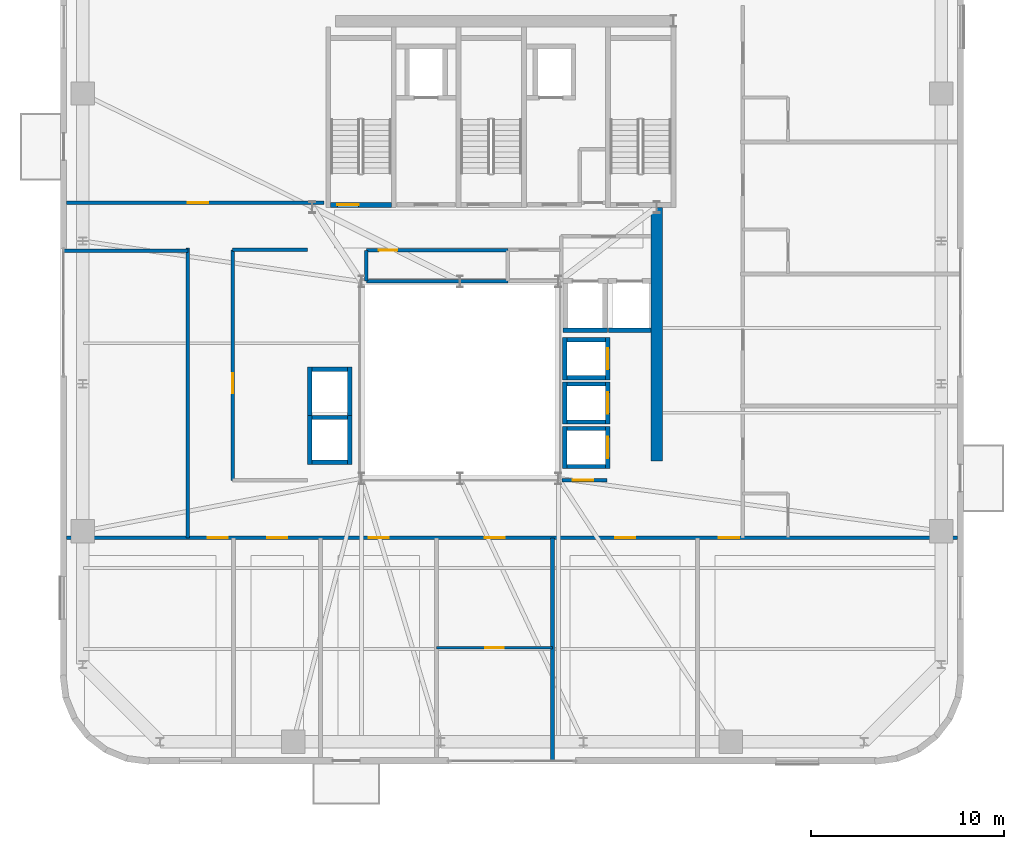
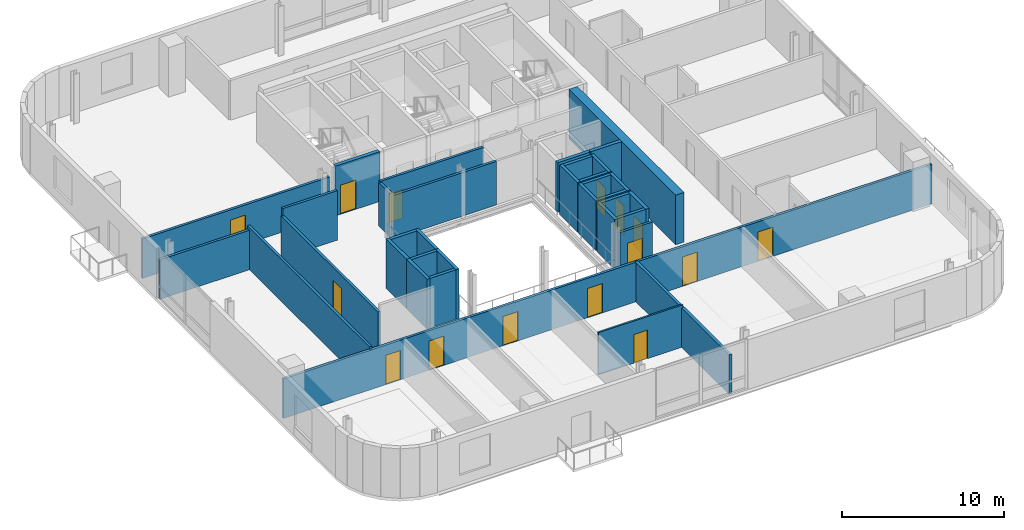
# One storey, part 8 of 15: 35 walls, 15 doors, 15 openings.
"""IFC4 building model written with IfcOpenShell, lengths in metres."""

from ifc_helpers import new_model, si_unit, direction, frame, frame_2d, origin, place, context, subcontext, project, spatial, rectangle, extrude, source, transform, mapped, material, layer, layer_set, type_object, element, fill, save


model = new_model("IFC4")

# Units and contexts
model_context = context("Model", 3, precision=1e-05, world=origin(), true_north=direction((0.0, 1.0)))
body_context = subcontext(model_context, "Body", "Model", "MODEL_VIEW")
ifc_project = project(units=[si_unit("LENGTHUNIT", "METRE"), si_unit("AREAUNIT", "SQUARE_METRE"), si_unit("VOLUMEUNIT", "CUBIC_METRE"), si_unit("PLANEANGLEUNIT", "RADIAN"), si_unit("MASSUNIT", "GRAM", prefix="KILO")], contexts=[model_context])

# Site, building, storey
site_placement = place(None, origin())
site = spatial("IfcSite", under=ifc_project, at=site_placement, CompositionType="ELEMENT")
building_placement = place(site_placement, origin())
building = spatial("IfcBuilding", under=site, at=building_placement, Name="Vardaveli Station Tower", CompositionType="ELEMENT")
storey_placement = place(building_placement, frame((0.0, 0.0, 246.64990234375)))
storey = spatial("IfcBuildingStorey", under=building, at=storey_placement, Name="L63", CompositionType="ELEMENT", Elevation=246.64990234375)

# Wall
ifc_material_1 = material(Name="Concrete C50/60", Category="concrete")
ifc_layer_1 = layer(ifc_material_1, 0.60009765625, Name="Concrete C50/60")
ifc_layer_set_1 = layer_set([ifc_layer_1], Name="Concrete C50/60")
wall_type_1 = type_object("IfcWallType", Name="WAL-CORE-600", PredefinedType="SHEAR", material=ifc_layer_set_1)
shared_shape_1 = source(origin(), body_context, "Body", "SweptSolid", [
    extrude(rectangle(XDim=13.14990234375, YDim=0.60009765625, at=frame_2d((6.574951171875, 0.0))), origin(), (0.0, 0.0, 1.0), 3.72998046875),
])
wall_1_placement = place(storey_placement, frame((46.5, 17.5, 0.0), z_axis=(0.0, 0.0, 1.0), x_axis=(0.0, 1.0, 0.0)))
element("IfcWall", 1, at=wall_1_placement, inside=storey, type_object=wall_type_1, Name="SW-L63-EAST2", PredefinedType="SHEAR", context=body_context, shape_type="MappedRepresentation", body=[
    mapped(shared_shape_1, transform((0.0, 0.0, 0.0), scale=1.0)),
])

# Wall, opening, door
ifc_material_2 = material(Name="Concrete C40/50", Category="concrete")
ifc_layer_2 = layer(ifc_material_2, 0.25, Name="Concrete C40/50")
ifc_layer_set_2 = layer_set([ifc_layer_2], Name="Concrete C40/50")
wall_type_2 = type_object("IfcWallType", Name="WAL-SHAFT-250", PredefinedType="SOLIDWALL", material=ifc_layer_set_2)
shared_shape_2 = source(origin(), body_context, "Body", "SweptSolid", [
    extrude(rectangle(XDim=3.14990234375, YDim=0.25, at=frame_2d((1.574951171875, 0.0))), origin(), (0.0, 0.0, 1.0), 3.75),
])
wall_2_placement = place(storey_placement, frame((29.60009765625, 30.77490234375, 0.0), z_axis=(0.0, 0.0, 1.0), x_axis=(1.0, 0.0, 0.0)))
wall_2 = element("IfcWall", 2, at=wall_2_placement, inside=storey, type_object=wall_type_2, Name="W-L63-ST-1S", PredefinedType="SOLIDWALL", context=body_context, shape_type="MappedRepresentation", body=[
    mapped(shared_shape_2, transform((0.0, 0.0, 0.0), scale=1.0)),
])
shared_shape_3 = source(origin(), body_context, "Body", "SweptSolid", [
    extrude(rectangle(XDim=1.10009765625, YDim=2.199951171875, at=frame_2d((0.550048828125, 1.10009765625))), frame((0.0, 0.135009765625, 0.0), z_axis=(0.0, -1.0, 0.0), x_axis=(1.0, 0.0, 0.0)), (0.0, 0.0, 1.0), 0.27001953125),
])
opening_1_placement = place(wall_2_placement, frame((0.35009765625, 0.0, 0.0)))
opening_1 = element("IfcOpeningElement", 3, at=opening_1_placement, cuts=wall_2, Name="Opening D-04", PredefinedType="OPENING", context=body_context, shape_type="MappedRepresentation", body=[
    mapped(shared_shape_3, transform((0.0, 0.0, 0.0), scale=1.0)),
])
ifc_material_3 = material(Name="Steel smokeproof fire doorset", Category="steel")
door_type_1 = type_object("IfcDoorType", Name="DR-ST-1100x2200", OperationType="NOTDEFINED", PredefinedType="DOOR", material=ifc_material_3)
shared_shape_4 = source(origin(), body_context, "Body", "SweptSolid", [
    extrude(rectangle(XDim=1.10009765625, YDim=2.199951171875, at=frame_2d((0.550048828125, 1.10009765625))), frame((0.0, 0.02490234375, 0.0), z_axis=(0.0, -1.0, 0.0), x_axis=(1.0, 0.0, 0.0)), (0.0, 0.0, 1.0), 0.050048828125),
])
door_1_placement = place(opening_1_placement, origin())
door_1 = element("IfcDoor", 4, at=door_1_placement, inside=storey, type_object=door_type_1, Name="DST-1-L63", OperationType="SINGLE_SWING_LEFT", OverallHeight=2.199951171875, OverallWidth=1.10009765625, PredefinedType="DOOR", context=body_context, shape_type="MappedRepresentation", body=[
    mapped(shared_shape_4, transform((0.0, 0.0, 0.0), scale=1.0)),
])
fill(opening_1, door_1)

# Walls
ifc_layer_3 = layer(ifc_material_2, 0.219970703125, Name="Concrete C40/50")
ifc_layer_set_3 = layer_set([ifc_layer_3], Name="Concrete C40/50")
wall_type_3 = type_object("IfcWallType", Name="WAL-FFLOBBY-220", PredefinedType="SOLIDWALL", material=ifc_layer_set_3)
shared_shape_5 = source(origin(), body_context, "Body", "SweptSolid", [
    extrude(rectangle(XDim=2.0, YDim=0.219970703125, at=frame_2d((1.0, 0.0))), origin(), (0.0, 0.0, 1.0), 3.72998046875),
])
for number, where, z_axis, x_axis, name in (
    (5, (41.85009765625, 21.81494140625, 0.0), (0.0, 0.0, 1.0), (1.0, 0.0, 0.0), "SHW-HL3-01-L63-S"),
    (6, (41.85009765625, 23.784912109375, 0.0), (0.0, 0.0, 1.0), (1.0, 0.0, 0.0), "SHW-HL3-01-L63-N"),
    (7, (41.85009765625, 19.514892578125, 0.0), (0.0, 0.0, 1.0), (1.0, 0.0, 0.0), "SHW-HL3-02-L63-S"),
    (8, (41.85009765625, 21.485107421875, 0.0), (0.0, 0.0, 1.0), (1.0, 0.0, 0.0), "SHW-HL3-02-L63-N"),
    (9, (41.85009765625, 17.215087890625, 0.0), (0.0, 0.0, 1.0), (1.0, 0.0, 0.0), "SHW-HL3-03-L63-S"),
    (10, (41.85009765625, 19.18505859375, 0.0), (0.0, 0.0, 1.0), (1.0, 0.0, 0.0), "SHW-HL3-03-L63-N"),
):
    element("IfcWall", number, at=place(storey_placement, frame(where, z_axis=z_axis, x_axis=x_axis)), inside=storey, type_object=wall_type_3, Name=name, PredefinedType="SOLIDWALL", context=body_context, shape_type="MappedRepresentation", body=[
        mapped(shared_shape_5, transform((0.0, 0.0, 0.0), scale=1.0)),
    ])
shared_shape_6 = source(origin(), body_context, "Body", "SweptSolid", [
    extrude(rectangle(XDim=2.18994140625, YDim=0.219970703125, at=frame_2d((1.094970703125, 0.0))), origin(), (0.0, 0.0, 1.0), 3.72998046875),
])
wall_3_placement = place(storey_placement, frame((41.739990234375, 21.705078125, 0.0), z_axis=(0.0, 0.0, 1.0), x_axis=(0.0, 1.0, 0.0)))
element("IfcWall", 11, at=wall_3_placement, inside=storey, type_object=wall_type_3, Name="SHW-HL3-01-L63-W", PredefinedType="SOLIDWALL", context=body_context, shape_type="MappedRepresentation", body=[
    mapped(shared_shape_6, transform((0.0, 0.0, 0.0), scale=1.0)),
])

# Wall, opening, door
wall_4_placement = place(storey_placement, frame((43.9599609375, 21.705078125, 0.0), z_axis=(0.0, 0.0, 1.0), x_axis=(0.0, 1.0, 0.0)))
wall_4 = element("IfcWall", 12, at=wall_4_placement, inside=storey, type_object=wall_type_3, Name="SHW-HL3-01-L63-E", PredefinedType="SOLIDWALL", context=body_context, shape_type="MappedRepresentation", body=[
    mapped(shared_shape_6, transform((0.0, 0.0, 0.0), scale=1.0)),
])
shared_shape_7 = source(origin(), body_context, "Body", "SweptSolid", [
    extrude(rectangle(XDim=1.10009765625, YDim=2.199951171875, at=frame_2d((0.550048828125, 1.10009765625))), frame((0.0, 0.1201171875, 0.0), z_axis=(0.0, -1.0, 0.0), x_axis=(1.0, 0.0, 0.0)), (0.0, 0.0, 1.0), 0.239990234375),
])
opening_2_placement = place(wall_4_placement, frame((0.544921875, 0.0, 0.0)))
opening_2 = element("IfcOpeningElement", 13, at=opening_2_placement, cuts=wall_4, Name="Opening LD-01", PredefinedType="OPENING", context=body_context, shape_type="MappedRepresentation", body=[
    mapped(shared_shape_7, transform((0.0, 0.0, 0.0), scale=1.0)),
])
ifc_material_4 = material(Name="Brushed stainless steel", Category="steel")
door_type_2 = type_object("IfcDoorType", Name="DR-LD-1100x2200", OperationType="DOUBLE_DOOR_SLIDING", PredefinedType="DOOR", material=ifc_material_4)
door_2_placement = place(opening_2_placement, origin())
door_2 = element("IfcDoor", 14, at=door_2_placement, inside=storey, type_object=door_type_2, Name="LD-HL3-01-L63", OperationType="DOUBLE_DOOR_SLIDING", OverallHeight=2.199951171875, OverallWidth=1.10009765625, PredefinedType="DOOR", context=body_context, shape_type="MappedRepresentation", body=[
    mapped(shared_shape_4, transform((0.0, 0.0, 0.0), scale=1.0)),
])
fill(opening_2, door_2)

# Wall
wall_5_placement = place(storey_placement, frame((41.739990234375, 19.405029296875, 0.0), z_axis=(0.0, 0.0, 1.0), x_axis=(0.0, 1.0, 0.0)))
element("IfcWall", 15, at=wall_5_placement, inside=storey, type_object=wall_type_3, Name="SHW-HL3-02-L63-W", PredefinedType="SOLIDWALL", context=body_context, shape_type="MappedRepresentation", body=[
    mapped(shared_shape_6, transform((0.0, 0.0, 0.0), scale=1.0)),
])

# Wall, opening, door
wall_6_placement = place(storey_placement, frame((43.9599609375, 19.405029296875, 0.0), z_axis=(0.0, 0.0, 1.0), x_axis=(0.0, 1.0, 0.0)))
wall_6 = element("IfcWall", 16, at=wall_6_placement, inside=storey, type_object=wall_type_3, Name="SHW-HL3-02-L63-E", PredefinedType="SOLIDWALL", context=body_context, shape_type="MappedRepresentation", body=[
    mapped(shared_shape_6, transform((0.0, 0.0, 0.0), scale=1.0)),
])
opening_3_placement = place(wall_6_placement, frame((0.544921875, 0.0, 0.0)))
opening_3 = element("IfcOpeningElement", 17, at=opening_3_placement, cuts=wall_6, Name="Opening LD-01", PredefinedType="OPENING", context=body_context, shape_type="MappedRepresentation", body=[
    mapped(shared_shape_7, transform((0.0, 0.0, 0.0), scale=1.0)),
])
door_3_placement = place(opening_3_placement, origin())
door_3 = element("IfcDoor", 18, at=door_3_placement, inside=storey, type_object=door_type_2, Name="LD-HL3-02-L63", OperationType="DOUBLE_DOOR_SLIDING", OverallHeight=2.199951171875, OverallWidth=1.10009765625, PredefinedType="DOOR", context=body_context, shape_type="MappedRepresentation", body=[
    mapped(shared_shape_4, transform((0.0, 0.0, 0.0), scale=1.0)),
])
fill(opening_3, door_3)

# Wall
wall_7_placement = place(storey_placement, frame((41.739990234375, 17.10498046875, 0.0), z_axis=(0.0, 0.0, 1.0), x_axis=(0.0, 1.0, 0.0)))
element("IfcWall", 19, at=wall_7_placement, inside=storey, type_object=wall_type_3, Name="SHW-HL3-03-L63-W", PredefinedType="SOLIDWALL", context=body_context, shape_type="MappedRepresentation", body=[
    mapped(shared_shape_6, transform((0.0, 0.0, 0.0), scale=1.0)),
])

# Wall, opening, door
wall_8_placement = place(storey_placement, frame((43.9599609375, 17.10498046875, 0.0), z_axis=(0.0, 0.0, 1.0), x_axis=(0.0, 1.0, 0.0)))
wall_8 = element("IfcWall", 20, at=wall_8_placement, inside=storey, type_object=wall_type_3, Name="SHW-HL3-03-L63-E", PredefinedType="SOLIDWALL", context=body_context, shape_type="MappedRepresentation", body=[
    mapped(shared_shape_6, transform((0.0, 0.0, 0.0), scale=1.0)),
])
opening_4_placement = place(wall_8_placement, frame((0.544921875, 0.0, 0.0)))
opening_4 = element("IfcOpeningElement", 21, at=opening_4_placement, cuts=wall_8, Name="Opening LD-01", PredefinedType="OPENING", context=body_context, shape_type="MappedRepresentation", body=[
    mapped(shared_shape_7, transform((0.0, 0.0, 0.0), scale=1.0)),
])
door_4_placement = place(opening_4_placement, origin())
door_4 = element("IfcDoor", 22, at=door_4_placement, inside=storey, type_object=door_type_2, Name="LD-HL3-03-L63", OperationType="DOUBLE_DOOR_SLIDING", OverallHeight=2.199951171875, OverallWidth=1.10009765625, PredefinedType="DOOR", context=body_context, shape_type="MappedRepresentation", body=[
    mapped(shared_shape_4, transform((0.0, 0.0, 0.0), scale=1.0)),
])
fill(opening_4, door_4)

# Walls
shared_shape_8 = source(origin(), body_context, "Body", "SweptSolid", [
    extrude(rectangle(XDim=1.85009765625, YDim=0.219970703125, at=frame_2d((0.925048828125, 0.0))), origin(), (0.0, 0.0, 1.0), 3.72998046875),
])
for number, where, z_axis, x_axis, name in (
    (23, (28.625, 17.43994140625, 0.0), (0.0, 0.0, 1.0), (1.0, 0.0, 0.0), "SHW-OBS-01-L63-S"),
    (24, (28.625, 19.760009765625, 0.0), (0.0, 0.0, 1.0), (1.0, 0.0, 0.0), "SHW-OBS-01-L63-N"),
    (25, (28.625, 22.260009765625, 0.0), (0.0, 0.0, 1.0), (1.0, 0.0, 0.0), "SHW-OBS-02-L63-N"),
):
    element("IfcWall", number, at=place(storey_placement, frame(where, z_axis=z_axis, x_axis=x_axis)), inside=storey, type_object=wall_type_3, Name=name, PredefinedType="SOLIDWALL", context=body_context, shape_type="MappedRepresentation", body=[
        mapped(shared_shape_8, transform((0.0, 0.0, 0.0), scale=1.0)),
    ])
shared_shape_9 = source(origin(), body_context, "Body", "SweptSolid", [
    extrude(rectangle(XDim=2.5400390625, YDim=0.219970703125, at=frame_2d((1.27001953125, 0.0))), origin(), (0.0, 0.0, 1.0), 3.72998046875),
])
for number, where, z_axis, x_axis, name in (
    (26, (28.514892578125, 17.330078125, 0.0), (0.0, 0.0, 1.0), (0.0, 1.0, 0.0), "SHW-OBS-01-L63-W"),
    (27, (30.5849609375, 17.330078125, 0.0), (0.0, 0.0, 1.0), (0.0, 1.0, 0.0), "SHW-OBS-01-L63-E"),
    (28, (28.514892578125, 19.830078125, 0.0), (0.0, 0.0, 1.0), (0.0, 1.0, 0.0), "SHW-OBS-02-L63-W"),
    (29, (30.5849609375, 19.830078125, 0.0), (0.0, 0.0, 1.0), (0.0, 1.0, 0.0), "SHW-OBS-02-L63-E"),
):
    element("IfcWall", number, at=place(storey_placement, frame(where, z_axis=z_axis, x_axis=x_axis)), inside=storey, type_object=wall_type_3, Name=name, PredefinedType="SOLIDWALL", context=body_context, shape_type="MappedRepresentation", body=[
        mapped(shared_shape_9, transform((0.0, 0.0, 0.0), scale=1.0)),
    ])
shared_shape_10 = source(origin(), body_context, "Body", "SweptSolid", [
    extrude(rectangle(XDim=2.300048828125, YDim=0.25, at=frame_2d((1.14990234375, 0.0))), origin(), (0.0, 0.0, 1.0), 3.72998046875),
])
wall_9_placement = place(storey_placement, frame((41.64990234375, 24.27490234375, 0.0), z_axis=(0.0, 0.0, 1.0), x_axis=(1.0, 0.0, 0.0)))
element("IfcWall", 30, at=wall_9_placement, inside=storey, type_object=wall_type_2, Name="SHW-SRV-01-L63-S", PredefinedType="SOLIDWALL", context=body_context, shape_type="MappedRepresentation", body=[
    mapped(shared_shape_10, transform((0.0, 0.0, 0.0), scale=1.0)),
])
shared_shape_11 = source(origin(), body_context, "Body", "SweptSolid", [
    extrude(rectangle(XDim=2.199951171875, YDim=0.25, at=frame_2d((1.10009765625, 0.0))), origin(), (0.0, 0.0, 1.0), 3.72998046875),
])
wall_10_placement = place(storey_placement, frame((44.0, 24.27490234375, 0.0), z_axis=(0.0, 0.0, 1.0), x_axis=(1.0, 0.0, 0.0)))
element("IfcWall", 31, at=wall_10_placement, inside=storey, type_object=wall_type_2, Name="SHW-SRV-02-L63-S", PredefinedType="SOLIDWALL", context=body_context, shape_type="MappedRepresentation", body=[
    mapped(shared_shape_11, transform((0.0, 0.0, 0.0), scale=1.0)),
])

# Wall, openings, doors
ifc_material_5 = material(Name="Fire-rated gypsum stud partition")
ifc_layer_4 = layer(ifc_material_5, 0.179931640625, Name="Fire-rated gypsum stud partition")
ifc_layer_set_4 = layer_set([ifc_layer_4], Name="Fire-rated gypsum stud partition")
wall_type_4 = type_object("IfcWallType", Name="WAL-CORR-180", PredefinedType="PARTITIONING", material=ifc_layer_set_4)
shared_shape_12 = source(origin(), body_context, "Body", "SweptSolid", [
    extrude(rectangle(XDim=46.15576171875, YDim=0.179931640625, at=frame_2d((23.077880859375, 0.0))), origin(), (0.0, 0.0, 1.0), 2.97216796875),
])
wall_11_placement = place(storey_placement, frame((15.922119140625, 13.510009765625, 0.0), z_axis=(0.0, 0.0, 1.0), x_axis=(1.0, 0.0, 0.0)))
wall_11 = element("IfcWall", 32, at=wall_11_placement, inside=storey, type_object=wall_type_4, Name="W-L63-CS", PredefinedType="PARTITIONING", context=body_context, shape_type="MappedRepresentation", body=[
    mapped(shared_shape_12, transform((0.0, 0.0, 0.0), scale=1.0)),
])
shared_shape_13 = source(origin(), body_context, "Body", "SweptSolid", [
    extrude(rectangle(XDim=1.050048828125, YDim=2.199951171875, at=frame_2d((0.52490234375, 1.10009765625))), frame((0.0, 0.10009765625, 0.0), z_axis=(0.0, -1.0, 0.0), x_axis=(1.0, 0.0, 0.0)), (0.0, 0.0, 1.0), 0.199951171875),
])
opening_5_placement = place(wall_11_placement, frame((7.298095703125, 0.0, 0.0)))
opening_5 = element("IfcOpeningElement", 33, at=opening_5_placement, cuts=wall_11, Name="Opening D-05", PredefinedType="OPENING", context=body_context, shape_type="MappedRepresentation", body=[
    mapped(shared_shape_13, transform((0.0, 0.0, 0.0), scale=1.0)),
])
opening_6_placement = place(wall_11_placement, frame((10.38427734375, 0.0, 0.0)))
opening_6 = element("IfcOpeningElement", 34, at=opening_6_placement, cuts=wall_11, Name="Opening D-05", PredefinedType="OPENING", context=body_context, shape_type="MappedRepresentation", body=[
    mapped(shared_shape_13, transform((0.0, 0.0, 0.0), scale=1.0)),
])
opening_7_placement = place(wall_11_placement, frame((15.646728515625, 0.0, 0.0)))
opening_7 = element("IfcOpeningElement", 35, at=opening_7_placement, cuts=wall_11, Name="Opening D-05", PredefinedType="OPENING", context=body_context, shape_type="MappedRepresentation", body=[
    mapped(shared_shape_13, transform((0.0, 0.0, 0.0), scale=1.0)),
])
opening_8_placement = place(wall_11_placement, frame((21.6591796875, 0.0, 0.0)))
opening_8 = element("IfcOpeningElement", 36, at=opening_8_placement, cuts=wall_11, Name="Opening D-05", PredefinedType="OPENING", context=body_context, shape_type="MappedRepresentation", body=[
    mapped(shared_shape_13, transform((0.0, 0.0, 0.0), scale=1.0)),
])
opening_9_placement = place(wall_11_placement, frame((28.421630859375, 0.0, 0.0)))
opening_9 = element("IfcOpeningElement", 37, at=opening_9_placement, cuts=wall_11, Name="Opening D-05", PredefinedType="OPENING", context=body_context, shape_type="MappedRepresentation", body=[
    mapped(shared_shape_13, transform((0.0, 0.0, 0.0), scale=1.0)),
])
opening_10_placement = place(wall_11_placement, frame((33.798095703125, 0.0, 0.0)))
opening_10 = element("IfcOpeningElement", 38, at=opening_10_placement, cuts=wall_11, Name="Opening D-05", PredefinedType="OPENING", context=body_context, shape_type="MappedRepresentation", body=[
    mapped(shared_shape_13, transform((0.0, 0.0, 0.0), scale=1.0)),
])
ifc_material_6 = material(Name="Walnut veneer acoustic fire door")
door_type_3 = type_object("IfcDoorType", Name="DR-SUITE-1050x2200", OperationType="NOTDEFINED", PredefinedType="DOOR", material=ifc_material_6)
shared_shape_14 = source(origin(), body_context, "Body", "SweptSolid", [
    extrude(rectangle(XDim=1.050048828125, YDim=2.199951171875, at=frame_2d((0.52490234375, 1.10009765625))), frame((0.0, 0.02490234375, 0.0), z_axis=(0.0, -1.0, 0.0), x_axis=(1.0, 0.0, 0.0)), (0.0, 0.0, 1.0), 0.050048828125),
])
door_5_placement = place(opening_5_placement, origin())
door_5 = element("IfcDoor", 39, at=door_5_placement, inside=storey, type_object=door_type_3, Name="D-L63-SA1", OperationType="SINGLE_SWING_RIGHT", OverallHeight=2.199951171875, OverallWidth=1.050048828125, PredefinedType="DOOR", context=body_context, shape_type="MappedRepresentation", body=[
    mapped(shared_shape_14, transform((0.0, 0.0, 0.0), scale=1.0)),
])
fill(opening_5, door_5)
door_6_placement = place(opening_6_placement, origin())
door_6 = element("IfcDoor", 40, at=door_6_placement, inside=storey, type_object=door_type_3, Name="D-L63-SA2", OperationType="SINGLE_SWING_LEFT", OverallHeight=2.199951171875, OverallWidth=1.050048828125, PredefinedType="DOOR", context=body_context, shape_type="MappedRepresentation", body=[
    mapped(shared_shape_14, transform((0.0, 0.0, 0.0), scale=1.0)),
])
fill(opening_6, door_6)
door_7_placement = place(opening_7_placement, origin())
door_7 = element("IfcDoor", 41, at=door_7_placement, inside=storey, type_object=door_type_3, Name="D-L63-SA3", OperationType="SINGLE_SWING_RIGHT", OverallHeight=2.199951171875, OverallWidth=1.050048828125, PredefinedType="DOOR", context=body_context, shape_type="MappedRepresentation", body=[
    mapped(shared_shape_14, transform((0.0, 0.0, 0.0), scale=1.0)),
])
fill(opening_7, door_7)
door_8_placement = place(opening_8_placement, origin())
door_8 = element("IfcDoor", 42, at=door_8_placement, inside=storey, type_object=door_type_3, Name="D-L63-SCB4", OperationType="SINGLE_SWING_LEFT", OverallHeight=2.199951171875, OverallWidth=1.050048828125, PredefinedType="DOOR", context=body_context, shape_type="MappedRepresentation", body=[
    mapped(shared_shape_14, transform((0.0, 0.0, 0.0), scale=1.0)),
])
fill(opening_8, door_8)
door_9_placement = place(opening_9_placement, origin())
door_9 = element("IfcDoor", 43, at=door_9_placement, inside=storey, type_object=door_type_3, Name="D-L63-SA5", OperationType="SINGLE_SWING_RIGHT", OverallHeight=2.199951171875, OverallWidth=1.050048828125, PredefinedType="DOOR", context=body_context, shape_type="MappedRepresentation", body=[
    mapped(shared_shape_14, transform((0.0, 0.0, 0.0), scale=1.0)),
])
fill(opening_9, door_9)
door_10_placement = place(opening_10_placement, origin())
door_10 = element("IfcDoor", 44, at=door_10_placement, inside=storey, type_object=door_type_3, Name="D-L63-SA6", OperationType="SINGLE_SWING_LEFT", OverallHeight=2.199951171875, OverallWidth=1.050048828125, PredefinedType="DOOR", context=body_context, shape_type="MappedRepresentation", body=[
    mapped(shared_shape_14, transform((0.0, 0.0, 0.0), scale=1.0)),
])
fill(opening_10, door_10)

# Wall, opening, door
shared_shape_15 = source(origin(), body_context, "Body", "SweptSolid", [
    extrude(rectangle(XDim=13.327880859375, YDim=0.179931640625, at=frame_2d((6.6640625, 0.0))), origin(), (0.0, 0.0, 1.0), 2.97216796875),
])
wall_12_placement = place(storey_placement, frame((15.922119140625, 30.8798828125, 0.0), z_axis=(0.0, 0.0, 1.0), x_axis=(1.0, 0.0, 0.0)))
wall_12 = element("IfcWall", 45, at=wall_12_placement, inside=storey, type_object=wall_type_4, Name="W-L63-CNWS", PredefinedType="PARTITIONING", context=body_context, shape_type="MappedRepresentation", body=[
    mapped(shared_shape_15, transform((0.0, 0.0, 0.0), scale=1.0)),
])
opening_11_placement = place(wall_12_placement, frame((6.278076171875, 0.0, 0.0)))
opening_11 = element("IfcOpeningElement", 46, at=opening_11_placement, cuts=wall_12, Name="Opening D-05", PredefinedType="OPENING", context=body_context, shape_type="MappedRepresentation", body=[
    mapped(shared_shape_13, transform((0.0, 0.0, 0.0), scale=1.0)),
])
door_11_placement = place(opening_11_placement, origin())
door_11 = element("IfcDoor", 47, at=door_11_placement, inside=storey, type_object=door_type_3, Name="D-L63-GNW1", OperationType="SINGLE_SWING_LEFT", OverallHeight=2.199951171875, OverallWidth=1.050048828125, PredefinedType="DOOR", context=body_context, shape_type="MappedRepresentation", body=[
    mapped(shared_shape_14, transform((0.0, 0.0, 0.0), scale=1.0)),
])
fill(opening_11, door_11)

shared_shape_16 = source(origin(), body_context, "Body", "SweptSolid", [
    extrude(rectangle(XDim=2.329833984375, YDim=0.179931640625, at=frame_2d((1.1650390625, 0.0))), origin(), (0.0, 0.0, 1.0), 3.172119140625),
])
wall_13_placement = place(storey_placement, frame((41.60009765625, 16.5, 0.0), z_axis=(0.0, 0.0, 1.0), x_axis=(1.0, 0.0, 0.0)))
wall_13 = element("IfcWall", 48, at=wall_13_placement, inside=storey, type_object=wall_type_4, Name="W-L63-ATE-S", PredefinedType="PARTITIONING", context=body_context, shape_type="MappedRepresentation", body=[
    mapped(shared_shape_16, transform((0.0, 0.0, 0.0), scale=1.0)),
])
opening_12_placement = place(wall_13_placement, frame((0.550048828125, 0.0, 0.0)))
opening_12 = element("IfcOpeningElement", 49, at=opening_12_placement, cuts=wall_13, Name="Opening D-05", PredefinedType="OPENING", context=body_context, shape_type="MappedRepresentation", body=[
    mapped(shared_shape_13, transform((0.0, 0.0, 0.0), scale=1.0)),
])
door_12_placement = place(opening_12_placement, origin())
door_12 = element("IfcDoor", 50, at=door_12_placement, inside=storey, type_object=door_type_3, Name="D-L63-ATE1", OperationType="SINGLE_SWING_RIGHT", OverallHeight=2.199951171875, OverallWidth=1.050048828125, PredefinedType="DOOR", context=body_context, shape_type="MappedRepresentation", body=[
    mapped(shared_shape_14, transform((0.0, 0.0, 0.0), scale=1.0)),
])
fill(opening_12, door_12)

shared_shape_17 = source(origin(), body_context, "Body", "SweptSolid", [
    extrude(rectangle(XDim=11.93994140625, YDim=0.179931640625, at=frame_2d((5.969970703125, 0.0))), origin(), (0.0, 0.0, 1.0), 3.172119140625),
])
wall_14_placement = place(storey_placement, frame((24.52001953125, 16.5, 0.0), z_axis=(0.0, 0.0, 1.0), x_axis=(0.0, 1.0, 0.0)))
wall_14 = element("IfcWall", 51, at=wall_14_placement, inside=storey, type_object=wall_type_4, Name="W-L63-ATW-W", PredefinedType="PARTITIONING", context=body_context, shape_type="MappedRepresentation", body=[
    mapped(shared_shape_17, transform((0.0, 0.0, 0.0), scale=1.0)),
])
opening_13_placement = place(wall_14_placement, frame((4.5, 0.0, 0.0)))
opening_13 = element("IfcOpeningElement", 52, at=opening_13_placement, cuts=wall_14, Name="Opening D-05", PredefinedType="OPENING", context=body_context, shape_type="MappedRepresentation", body=[
    mapped(shared_shape_13, transform((0.0, 0.0, 0.0), scale=1.0)),
])
door_13_placement = place(opening_13_placement, origin())
door_13 = element("IfcDoor", 53, at=door_13_placement, inside=storey, type_object=door_type_3, Name="D-L63-ATW1", OperationType="SINGLE_SWING_RIGHT", OverallHeight=2.199951171875, OverallWidth=1.050048828125, PredefinedType="DOOR", context=body_context, shape_type="MappedRepresentation", body=[
    mapped(shared_shape_14, transform((0.0, 0.0, 0.0), scale=1.0)),
])
fill(opening_13, door_13)

shared_shape_18 = source(origin(), body_context, "Body", "SweptSolid", [
    extrude(rectangle(XDim=7.330078125, YDim=0.179931640625, at=frame_2d((3.6650390625, 0.0))), origin(), (0.0, 0.0, 1.0), 3.362060546875),
])
wall_15_placement = place(storey_placement, frame((31.449951171875, 28.419921875, 0.0), z_axis=(0.0, 0.0, 1.0), x_axis=(1.0, 0.0, 0.0)))
wall_15 = element("IfcWall", 54, at=wall_15_placement, inside=storey, type_object=wall_type_4, Name="W-L63-HKP0-N", PredefinedType="PARTITIONING", context=body_context, shape_type="MappedRepresentation", body=[
    mapped(shared_shape_18, transform((0.0, 0.0, 0.0), scale=1.0)),
])
shared_shape_19 = source(origin(), body_context, "Body", "SweptSolid", [
    extrude(rectangle(XDim=0.949951171875, YDim=2.14990234375, at=frame_2d((0.47509765625, 1.074951171875))), frame((0.0, 0.10009765625, 0.0), z_axis=(0.0, -1.0, 0.0), x_axis=(1.0, 0.0, 0.0)), (0.0, 0.0, 1.0), 0.199951171875),
])
opening_14_placement = place(wall_15_placement, frame((0.64990234375, 0.0, 0.0)))
opening_14 = element("IfcOpeningElement", 55, at=opening_14_placement, cuts=wall_15, Name="Opening D-06", PredefinedType="OPENING", context=body_context, shape_type="MappedRepresentation", body=[
    mapped(shared_shape_19, transform((0.0, 0.0, 0.0), scale=1.0)),
])
ifc_material_7 = material(Name="Oak veneer acoustic fire door")
door_type_4 = type_object("IfcDoorType", Name="DR-GUEST-950x2150", OperationType="NOTDEFINED", PredefinedType="DOOR", material=ifc_material_7)
shared_shape_20 = source(origin(), body_context, "Body", "SweptSolid", [
    extrude(rectangle(XDim=0.949951171875, YDim=2.14990234375, at=frame_2d((0.47509765625, 1.074951171875))), frame((0.0, 0.02490234375, 0.0), z_axis=(0.0, -1.0, 0.0), x_axis=(1.0, 0.0, 0.0)), (0.0, 0.0, 1.0), 0.050048828125),
])
door_14_placement = place(opening_14_placement, origin())
door_14 = element("IfcDoor", 56, at=door_14_placement, inside=storey, type_object=door_type_4, Name="D-L63-HKP", OperationType="SINGLE_SWING_LEFT", OverallHeight=2.14990234375, OverallWidth=0.949951171875, PredefinedType="DOOR", context=body_context, shape_type="MappedRepresentation", body=[
    mapped(shared_shape_20, transform((0.0, 0.0, 0.0), scale=1.0)),
])
fill(opening_14, door_14)

ifc_material_8 = material(Name="Gypsum board stud partition")
ifc_layer_5 = layer(ifc_material_8, 0.125, Name="Gypsum board stud partition")
ifc_layer_set_5 = layer_set([ifc_layer_5], Name="Gypsum board stud partition")
wall_type_5 = type_object("IfcWallType", Name="WAL-INT-125", PredefinedType="PARTITIONING", material=ifc_layer_set_5)
shared_shape_21 = source(origin(), body_context, "Body", "SweptSolid", [
    extrude(rectangle(XDim=6.012939453125, YDim=0.125, at=frame_2d((3.00634765625, 0.0))), origin(), (0.0, 0.0, 1.0), 3.172119140625),
])
wall_16_placement = place(storey_placement, frame((35.094970703125, 7.830078125, 0.0), z_axis=(0.0, 0.0, 1.0), x_axis=(1.0, 0.0, 0.0)))
wall_16 = element("IfcWall", 57, at=wall_16_placement, inside=storey, type_object=wall_type_5, Name="W-L63-SCM4", PredefinedType="PARTITIONING", context=body_context, shape_type="MappedRepresentation", body=[
    mapped(shared_shape_21, transform((0.0, 0.0, 0.0), scale=1.0)),
])
shared_shape_22 = source(origin(), body_context, "Body", "SweptSolid", [
    extrude(rectangle(XDim=0.949951171875, YDim=2.14990234375, at=frame_2d((0.47509765625, 1.074951171875))), frame((0.0, 0.072509765625, 0.0), z_axis=(0.0, -1.0, 0.0), x_axis=(1.0, 0.0, 0.0)), (0.0, 0.0, 1.0), 0.14501953125),
])
opening_15_placement = place(wall_16_placement, frame((2.5263671875, 0.0, 0.0)))
opening_15 = element("IfcOpeningElement", 58, at=opening_15_placement, cuts=wall_16, Name="Opening D-11", PredefinedType="OPENING", context=body_context, shape_type="MappedRepresentation", body=[
    mapped(shared_shape_22, transform((0.0, 0.0, 0.0), scale=1.0)),
])
ifc_material_9 = material(Name="Oak veneer internal suite door")
door_type_5 = type_object("IfcDoorType", Name="DR-INT-950x2150", OperationType="NOTDEFINED", PredefinedType="DOOR", material=ifc_material_9)
door_15_placement = place(opening_15_placement, origin())
door_15 = element("IfcDoor", 59, at=door_15_placement, inside=storey, type_object=door_type_5, Name="D-L63-SCF4", OperationType="SINGLE_SWING_RIGHT", OverallHeight=2.14990234375, OverallWidth=0.949951171875, PredefinedType="DOOR", context=body_context, shape_type="MappedRepresentation", body=[
    mapped(shared_shape_20, transform((0.0, 0.0, 0.0), scale=1.0)),
])
fill(opening_15, door_15)

# Walls
shared_shape_23 = source(origin(), body_context, "Body", "SweptSolid", [
    extrude(rectangle(XDim=15.0400390625, YDim=0.179931640625, at=frame_2d((7.52001953125, 0.0))), origin(), (0.0, 0.0, 1.0), 3.172119140625),
])
wall_17_placement = place(storey_placement, frame((22.199951171875, 13.510009765625, 0.0), z_axis=(0.0, 0.0, 1.0), x_axis=(0.0, 1.0, 0.0)))
element("IfcWall", 60, at=wall_17_placement, inside=storey, type_object=wall_type_4, Name="W-L63-CW", PredefinedType="PARTITIONING", context=body_context, shape_type="MappedRepresentation", body=[
    mapped(shared_shape_23, transform((0.0, 0.0, 0.0), scale=1.0)),
])
ifc_material_10 = material(Name="Acoustic twin-stud gypsum partition")
ifc_layer_6 = layer(ifc_material_10, 0.199951171875, Name="Acoustic twin-stud gypsum partition")
ifc_layer_set_6 = layer_set([ifc_layer_6], Name="Acoustic twin-stud gypsum partition")
wall_type_6 = type_object("IfcWallType", Name="WAL-PARTY-200", PredefinedType="PARTITIONING", material=ifc_layer_set_6)
shared_shape_24 = source(origin(), body_context, "Body", "SweptSolid", [
    extrude(rectangle(XDim=11.580078125, YDim=0.199951171875, at=frame_2d((5.7900390625, 0.0))), origin(), (0.0, 0.0, 1.0), 2.97216796875),
])
wall_18_placement = place(storey_placement, frame((41.10791015625, 1.929931640625, 0.0), z_axis=(0.0, 0.0, 1.0), x_axis=(0.0, 1.0, 0.0)))
element("IfcWall", 61, at=wall_18_placement, inside=storey, type_object=wall_type_6, Name="W-L63-PS4", PredefinedType="PARTITIONING", context=body_context, shape_type="MappedRepresentation", body=[
    mapped(shared_shape_24, transform((0.0, 0.0, 0.0), scale=1.0)),
])
shared_shape_25 = source(origin(), body_context, "Body", "SweptSolid", [
    extrude(rectangle(XDim=7.330078125, YDim=0.179931640625, at=frame_2d((3.6650390625, 0.0))), origin(), (0.0, 0.0, 1.0), 3.272216796875),
])
wall_19_placement = place(storey_placement, frame((31.449951171875, 26.820068359375, 0.0), z_axis=(0.0, 0.0, 1.0), x_axis=(1.0, 0.0, 0.0)))
element("IfcWall", 62, at=wall_19_placement, inside=storey, type_object=wall_type_4, Name="W-L63-HKP0-S", PredefinedType="PARTITIONING", context=body_context, shape_type="MappedRepresentation", body=[
    mapped(shared_shape_25, transform((0.0, 0.0, 0.0), scale=1.0)),
])
shared_shape_26 = source(origin(), body_context, "Body", "SweptSolid", [
    extrude(rectangle(XDim=6.469970703125, YDim=0.179931640625, at=frame_2d((3.23486328125, 0.0))), origin(), (0.0, 0.0, 1.0), 2.97216796875),
])
wall_20_placement = place(storey_placement, frame((15.72998046875, 28.39990234375, 0.0), z_axis=(0.0, 0.0, 1.0), x_axis=(1.0, 0.0, 0.0)))
element("IfcWall", 63, at=wall_20_placement, inside=storey, type_object=wall_type_4, Name="W-L63-CWN", PredefinedType="PARTITIONING", context=body_context, shape_type="MappedRepresentation", body=[
    mapped(shared_shape_26, transform((0.0, 0.0, 0.0), scale=1.0)),
])
shared_shape_27 = source(origin(), body_context, "Body", "SweptSolid", [
    extrude(rectangle(XDim=3.8798828125, YDim=0.179931640625, at=frame_2d((1.93994140625, 0.0))), origin(), (0.0, 0.0, 1.0), 3.72998046875),
])
wall_21_placement = place(storey_placement, frame((24.52001953125, 28.43994140625, 0.0), z_axis=(0.0, 0.0, 1.0), x_axis=(1.0, 0.0, 0.0)))
element("IfcWall", 64, at=wall_21_placement, inside=storey, type_object=wall_type_4, Name="W-L63-ATW-N", PredefinedType="PARTITIONING", context=body_context, shape_type="MappedRepresentation", body=[
    mapped(shared_shape_27, transform((0.0, 0.0, 0.0), scale=1.0)),
])
shared_shape_28 = source(origin(), body_context, "Body", "SweptSolid", [
    extrude(rectangle(XDim=1.599853515625, YDim=0.179931640625, at=frame_2d((0.7998046875, 0.0))), origin(), (0.0, 0.0, 1.0), 3.272216796875),
])
wall_22_placement = place(storey_placement, frame((31.449951171875, 26.820068359375, 0.0), z_axis=(0.0, 0.0, 1.0), x_axis=(0.0, 1.0, 0.0)))
element("IfcWall", 65, at=wall_22_placement, inside=storey, type_object=wall_type_4, Name="W-L63-HKP0-W", PredefinedType="PARTITIONING", context=body_context, shape_type="MappedRepresentation", body=[
    mapped(shared_shape_28, transform((0.0, 0.0, 0.0), scale=1.0)),
])

save(model, "model.ifc")
